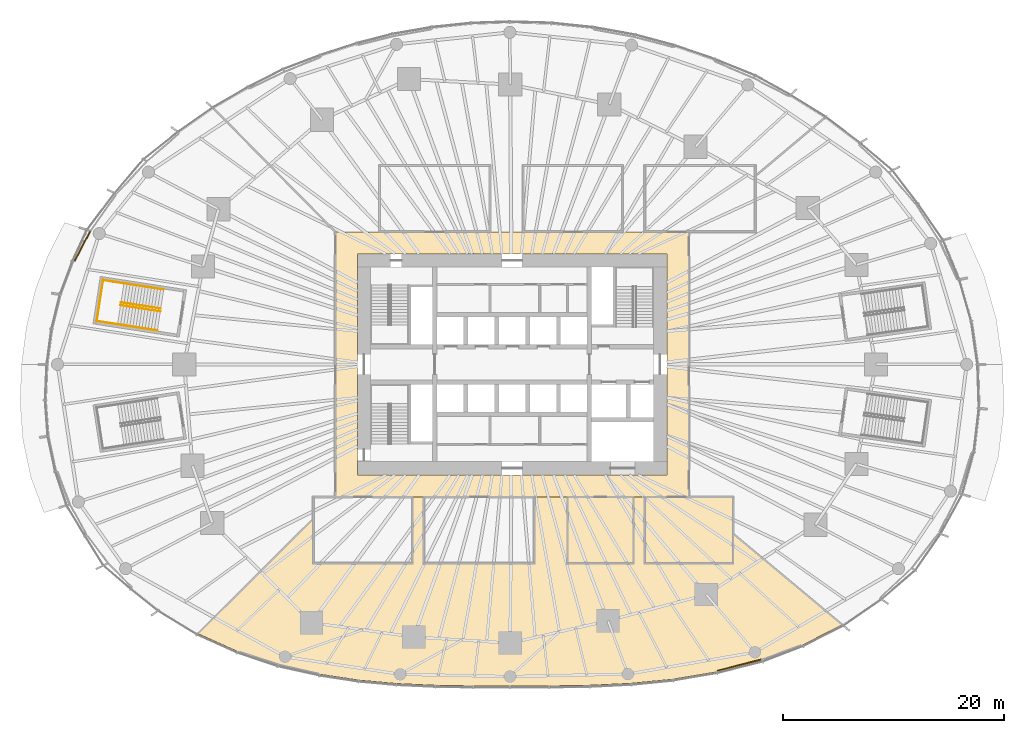
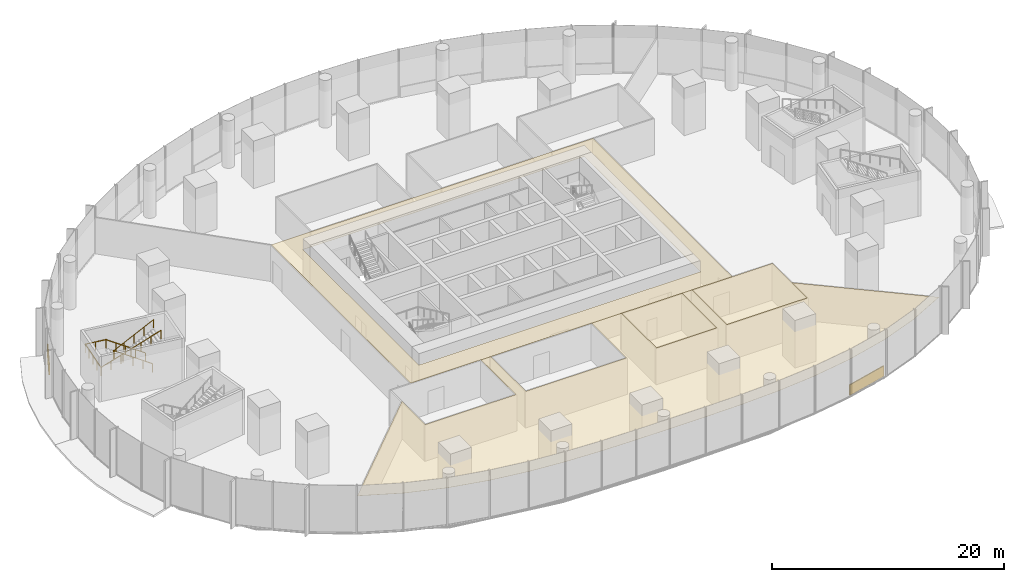
# One storey, part 25 of 28: 6 coverings, 5 railings.
"""IFC4 building model written with IfcOpenShell, lengths in metres."""

from ifc_helpers import new_model, si_unit, direction, frame, origin, origin_2d, place, context, subcontext, project, spatial, polyline, rectangle, circle, outline, extrude, material, layer, layer_set, type_object, element, save


model = new_model("IFC4")

# Units and contexts
model_context = context("Model", 3, precision=1e-05, world=origin(), true_north=direction((0.0, 1.0)))
body_context = subcontext(model_context, "Body", "Model", "MODEL_VIEW")
ifc_project = project(units=[si_unit("LENGTHUNIT", "METRE"), si_unit("AREAUNIT", "SQUARE_METRE"), si_unit("VOLUMEUNIT", "CUBIC_METRE"), si_unit("PLANEANGLEUNIT", "RADIAN"), si_unit("MASSUNIT", "GRAM", prefix="KILO")], contexts=[model_context])

# Site, building, storey
site_placement = place(None, origin())
site = spatial("IfcSite", under=ifc_project, at=site_placement, CompositionType="ELEMENT")
building_placement = place(site_placement, origin())
building = spatial("IfcBuilding", under=site, at=building_placement, Name="Ghaith Harvest Tower", CompositionType="ELEMENT")
storey_placement = place(building_placement, frame((0.0, 0.0, 5.0)))
storey = spatial("IfcBuildingStorey", under=building, at=storey_placement, Name="L01", CompositionType="ELEMENT", Elevation=5.0)

# Coverings
ifc_material_1 = material(Name="Mineral fibre ceiling tile", Category="gypsum")
ifc_layer_1 = layer(ifc_material_1, 0.014892578125)
ifc_layer_set_1 = layer_set([ifc_layer_1], Name="CEILING C3")
covering_type_1 = type_object("IfcCoveringType", Name="CEILING C3", PredefinedType="CEILING", material=ifc_layer_set_1)
covering_1_placement = place(storey_placement, frame((0.0, 0.0, 3.800048828125)))
element("IfcCovering", 1, at=covering_1_placement, inside=storey, type_object=covering_type_1, Name="Ceiling L01-05", PredefinedType="CEILING", context=body_context, shape_type="SweptSolid", body=[
    extrude(outline(polyline([(5.0, -18.0), (11.0, -18.0), (11.0, -12.0), (5.0, -12.0), (5.0, -18.0)])), origin(), (0.0, 0.0, 1.0), 0.014892578125),
])
covering_2_placement = place(storey_placement, frame((0.0, 0.0, 3.800048828125)))
element("IfcCovering", 2, at=covering_2_placement, inside=storey, type_object=covering_type_1, Name="Ceiling L01-07", PredefinedType="CEILING", context=body_context, shape_type="SweptSolid", body=[
    extrude(outline(polyline([(12.0, -18.0), (20.0, -18.0), (20.0, -12.0), (12.0, -12.0), (12.0, -18.0)])), origin(), (0.0, 0.0, 1.0), 0.014892578125),
])
covering_3_placement = place(storey_placement, frame((0.0, 0.0, 3.800048828125)))
element("IfcCovering", 3, at=covering_3_placement, inside=storey, type_object=covering_type_1, Name="Ceiling L01-C1", PredefinedType="CEILING", context=body_context, shape_type="SweptSolid", body=[
    extrude(outline(polyline([(-16.0, 12.0), (16.0, 12.0), (16.0, -12.0), (-16.0, -12.0), (-16.0, 12.0)]), holes=[polyline([(14.0, -10.0), (14.0, 10.0), (-14.0, 10.0), (-14.0, -10.0), (14.0, -10.0)])]), origin(), (0.0, 0.0, 1.0), 0.014892578125),
])
covering_4_placement = place(storey_placement, frame((0.0, 0.0, 3.800048828125)))
element("IfcCovering", 4, at=covering_4_placement, inside=storey, type_object=covering_type_1, Name="Ceiling L01-S1", PredefinedType="CEILING", context=body_context, shape_type="SweptSolid", body=[
    extrude(outline(polyline([(3.351806640625, -29.098388671875), (-0.19921875, -29.10009765625), (-3.511474609375, -29.09765625), (-6.903564453125, -29.046142578125), (-10.43310546875, -28.88671875), (-13.8466796875, -28.579345703125), (-17.416748046875, -28.044189453125), (-21.123779296875, -27.19921875), (-24.77880859375, -26.0087890625), (-28.427978515625, -24.373291015625), (-18.0, -13.9912109375), (-18.0, -18.0), (-9.0, -18.0), (-9.0, -12.0), (-8.0, -12.0), (-8.0, -18.0), (2.0, -18.0), (2.0, -12.0), (5.0, -12.0), (5.0, -18.0), (11.0, -18.0), (11.0, -12.0), (12.0, -12.0), (12.0, -18.0), (20.0, -18.0), (20.0, -15.334716796875), (29.87744140625, -23.5693359375), (26.25244140625, -25.40869140625), (22.576904296875, -26.77294921875), (18.487060546875, -27.833251953125), (14.54638671875, -28.493408203125), (10.789794921875, -28.862548828125), (6.9912109375, -29.043701171875), (3.351806640625, -29.098388671875)])), origin(), (0.0, 0.0, 1.0), 0.014892578125),
])

# Railings
ifc_material_2 = material(Name="Steel, black powder-coated", Category="steel")
railing_type = type_object("IfcRailingType", Name="HANDRAIL HR1", PredefinedType="HANDRAIL", material=ifc_material_2)
railing_1_placement = place(storey_placement, frame((-31.802490234375, 5.04541015625, 0.178466796875)))
element("IfcRailing", 5, at=railing_1_placement, inside=storey, type_object=railing_type, Name="Handrail HR1 stair PS2 L01 flight 1 inner", PredefinedType="HANDRAIL", context=body_context, shape_type="SweptSolid", body=[
    extrude(circle(Radius=0.02392578125, at=origin_2d()), frame((0.0, 0.0, 0.8759765625), z_axis=(-0.833206754544, 0.12887730376, 0.537733339823), x_axis=(-0.152858516466, -0.988248083198, 0.0)), (0.0, 0.0, 1.0), 4.317138671875),
    extrude(circle(Radius=0.02099609375, at=origin_2d()), origin(), (0.0, 0.0, 1.0), 0.851806640625),
    extrude(circle(Radius=0.02099609375, at=origin_2d()), frame((-0.8994140625, 0.13916015625, 0.580322265625)), (0.0, 0.0, 1.0), 0.851806640625),
    extrude(circle(Radius=0.02099609375, at=origin_2d()), frame((-1.798583984375, 0.2783203125, 1.16064453125)), (0.0, 0.0, 1.0), 0.851806640625),
    extrude(circle(Radius=0.02099609375, at=origin_2d()), frame((-2.69775390625, 0.417236328125, 1.7412109375)), (0.0, 0.0, 1.0), 0.851806640625),
    extrude(circle(Radius=0.02099609375, at=origin_2d()), frame((-3.59716796875, 0.556396484375, 2.321533203125)), (0.0, 0.0, 1.0), 0.851806640625),
])
railing_2_placement = place(storey_placement, frame((-35.43798828125, 5.3544921875, 2.678466796875)))
element("IfcRailing", 6, at=railing_2_placement, inside=storey, type_object=railing_type, Name="Handrail HR1 stair PS2 L01 flight 2 inner", PredefinedType="HANDRAIL", context=body_context, shape_type="SweptSolid", body=[
    extrude(circle(Radius=0.02392578125, at=origin_2d()), frame((0.0, 0.0, 0.8759765625), z_axis=(0.833212825692, -0.128821692475, 0.537737258009), x_axis=(0.152793010032, 0.988258213265, 0.0)), (0.0, 0.0, 1.0), 4.317138671875),
    extrude(circle(Radius=0.02099609375, at=origin_2d()), origin(), (0.0, 0.0, 1.0), 0.851806640625),
    extrude(circle(Radius=0.02099609375, at=origin_2d()), frame((0.8994140625, -0.13916015625, 0.580322265625)), (0.0, 0.0, 1.0), 0.851806640625),
    extrude(circle(Radius=0.02099609375, at=origin_2d()), frame((1.798583984375, -0.278076171875, 1.16064453125)), (0.0, 0.0, 1.0), 0.851806640625),
    extrude(circle(Radius=0.02099609375, at=origin_2d()), frame((2.69775390625, -0.4169921875, 1.7412109375)), (0.0, 0.0, 1.0), 0.851806640625),
    extrude(circle(Radius=0.02099609375, at=origin_2d()), frame((3.59716796875, -0.55615234375, 2.321533203125)), (0.0, 0.0, 1.0), 0.851806640625),
])
railing_3_placement = place(storey_placement, frame((-31.534912109375, 6.77490234375, 0.178466796875)))
element("IfcRailing", 7, at=railing_3_placement, inside=storey, type_object=railing_type, Name="Handrail HR1 stair PS2 L01 wall side flight 1", PredefinedType="HANDRAIL", context=body_context, shape_type="SweptSolid", body=[
    extrude(circle(Radius=0.02392578125, at=origin_2d()), frame((0.0, 0.0, 0.8759765625), z_axis=(-0.8332301151, 0.128815622816, 0.53771192158), x_axis=(-0.152782882696, -0.988259778983, 0.0)), (0.0, 0.0, 1.0), 4.3173828125),
    extrude(circle(Radius=0.02099609375, at=origin_2d()), origin(), (0.0, 0.0, 1.0), 0.851806640625),
    extrude(circle(Radius=0.02099609375, at=origin_2d()), frame((-0.8994140625, 0.13916015625, 0.580322265625)), (0.0, 0.0, 1.0), 0.851806640625),
    extrude(circle(Radius=0.02099609375, at=origin_2d()), frame((-1.798828125, 0.278076171875, 1.16064453125)), (0.0, 0.0, 1.0), 0.851806640625),
    extrude(circle(Radius=0.02099609375, at=origin_2d()), frame((-2.697998046875, 0.4169921875, 1.7412109375)), (0.0, 0.0, 1.0), 0.851806640625),
    extrude(circle(Radius=0.02099609375, at=origin_2d()), frame((-3.597412109375, 0.55615234375, 2.321533203125)), (0.0, 0.0, 1.0), 0.851806640625),
])
railing_4_placement = place(storey_placement, frame((-35.13232421875, 7.3310546875, 2.5)))
element("IfcRailing", 8, at=railing_4_placement, inside=storey, type_object=railing_type, Name="Handrail HR1 stair PS2 L01 wall side half landing", PredefinedType="HANDRAIL", context=body_context, shape_type="SweptSolid", body=[
    extrude(circle(Radius=0.02392578125, at=origin_2d()), frame((0.0, 0.0, 0.8759765625), z_axis=(-0.988244262548, 0.152883215368, 0.0), x_axis=(-0.152883215368, -0.988244262548, 0.0)), (0.0, 0.0, 1.0), 1.909912109375),
    extrude(circle(Radius=0.02392578125, at=origin_2d()), frame((-1.887451171875, 0.2919921875, 0.8759765625), z_axis=(-0.152869266423, -0.988246420375, 0.0), x_axis=(0.988246420375, -0.152869266423, 0.0)), (0.0, 0.0, 1.0), 3.75),
    extrude(circle(Radius=0.02099609375, at=origin_2d()), origin(), (0.0, 0.0, 1.0), 0.851806640625),
    extrude(circle(Radius=0.02099609375, at=origin_2d()), frame((-0.94384765625, 0.14599609375, 0.0)), (0.0, 0.0, 1.0), 0.851806640625),
    extrude(circle(Radius=0.02099609375, at=origin_2d()), frame((-1.887451171875, 0.2919921875, 0.0)), (0.0, 0.0, 1.0), 0.851806640625),
    extrude(circle(Radius=0.02099609375, at=origin_2d()), frame((-2.03076171875, -0.634521484375, 0.0)), (0.0, 0.0, 1.0), 0.851806640625),
    extrude(circle(Radius=0.02099609375, at=origin_2d()), frame((-2.174072265625, -1.56103515625, 0.0)), (0.0, 0.0, 1.0), 0.851806640625),
    extrude(circle(Radius=0.02099609375, at=origin_2d()), frame((-2.3173828125, -2.4873046875, 0.0)), (0.0, 0.0, 1.0), 0.851806640625),
    extrude(circle(Radius=0.02099609375, at=origin_2d()), frame((-2.460693359375, -3.413818359375, 0.0)), (0.0, 0.0, 1.0), 0.851806640625),
])
railing_5_placement = place(storey_placement, frame((-37.593017578125, 3.917236328125, 2.5)))
element("IfcRailing", 9, at=railing_5_placement, inside=storey, type_object=railing_type, Name="Handrail HR1 stair PS2 L01 wall side flight 2", PredefinedType="HANDRAIL", context=body_context, shape_type="SweptSolid", body=[
    extrude(circle(Radius=0.02392578125, at=origin_2d()), frame((0.0, 0.0, 0.8759765625), z_axis=(0.901054905206, -0.139373533143, 0.410700713492), x_axis=(0.152860370887, 0.988247796361, 0.0)), (0.0, 0.0, 1.0), 6.087158203125),
    extrude(circle(Radius=0.02099609375, at=origin_2d()), origin(), (0.0, 0.0, 1.0), 0.851806640625),
    extrude(circle(Radius=0.02099609375, at=origin_2d()), frame((0.9140625, -0.141357421875, 0.416748046875)), (0.0, 0.0, 1.0), 0.851806640625),
    extrude(circle(Radius=0.02099609375, at=origin_2d()), frame((1.828369140625, -0.28271484375, 0.833251953125)), (0.0, 0.0, 1.0), 0.851806640625),
    extrude(circle(Radius=0.02099609375, at=origin_2d()), frame((2.742431640625, -0.42431640625, 1.25)), (0.0, 0.0, 1.0), 0.851806640625),
    extrude(circle(Radius=0.02099609375, at=origin_2d()), frame((3.656494140625, -0.565673828125, 1.666748046875)), (0.0, 0.0, 1.0), 0.851806640625),
    extrude(circle(Radius=0.02099609375, at=origin_2d()), frame((4.57080078125, -0.70703125, 2.083251953125)), (0.0, 0.0, 1.0), 0.851806640625),
    extrude(circle(Radius=0.02099609375, at=origin_2d()), frame((5.48486328125, -0.848388671875, 2.5)), (0.0, 0.0, 1.0), 0.851806640625),
])

# Coverings
ifc_material_3 = material(Name="Insulated aluminium spandrel panel on steel framing", Category="steel")
ifc_layer_2 = layer(ifc_material_3, 0.10009765625)
ifc_layer_set_2 = layer_set([ifc_layer_2], Name="SLAB EDGE UPSTAND 1100x100")
covering_type_2 = type_object("IfcCoveringType", Name="SLAB EDGE UPSTAND 1100x100", PredefinedType="CLADDING", material=ifc_layer_set_2)
covering_5_placement = place(storey_placement, frame((-38.878662109375, 10.725341796875, 0.0), z_axis=(0.0, 0.0, 1.0), x_axis=(-0.462300465712, -0.886723338704, 0.0)))
element("IfcCovering", 10, at=covering_5_placement, inside=storey, type_object=covering_type_2, Name="Slab edge upstand 1 bay 10 L01", PredefinedType="CLADDING", context=body_context, shape_type="SweptSolid", body=[
    extrude(rectangle(XDim=3.071533203125, YDim=0.10009765625, at=origin_2d()), origin(), (0.0, 0.0, 1.0), 1.10009765625),
])
covering_6_placement = place(storey_placement, frame((20.56787109375, -27.2421875, 0.0), z_axis=(0.0, 0.0, 1.0), x_axis=(0.967989439735, 0.250990925258, 0.0)))
element("IfcCovering", 11, at=covering_6_placement, inside=storey, type_object=covering_type_2, Name="Slab edge upstand 3 bay 17 L01", PredefinedType="CLADDING", context=body_context, shape_type="SweptSolid", body=[
    extrude(rectangle(XDim=4.125, YDim=0.10009765625, at=origin_2d()), origin(), (0.0, 0.0, 1.0), 1.10009765625),
])

save(model, "model.ifc")
